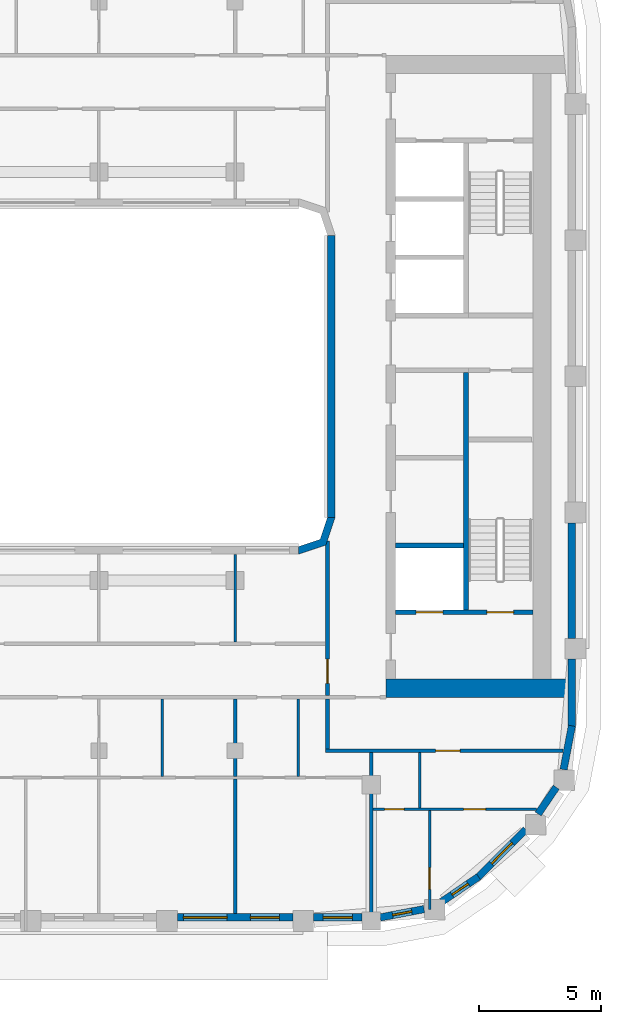
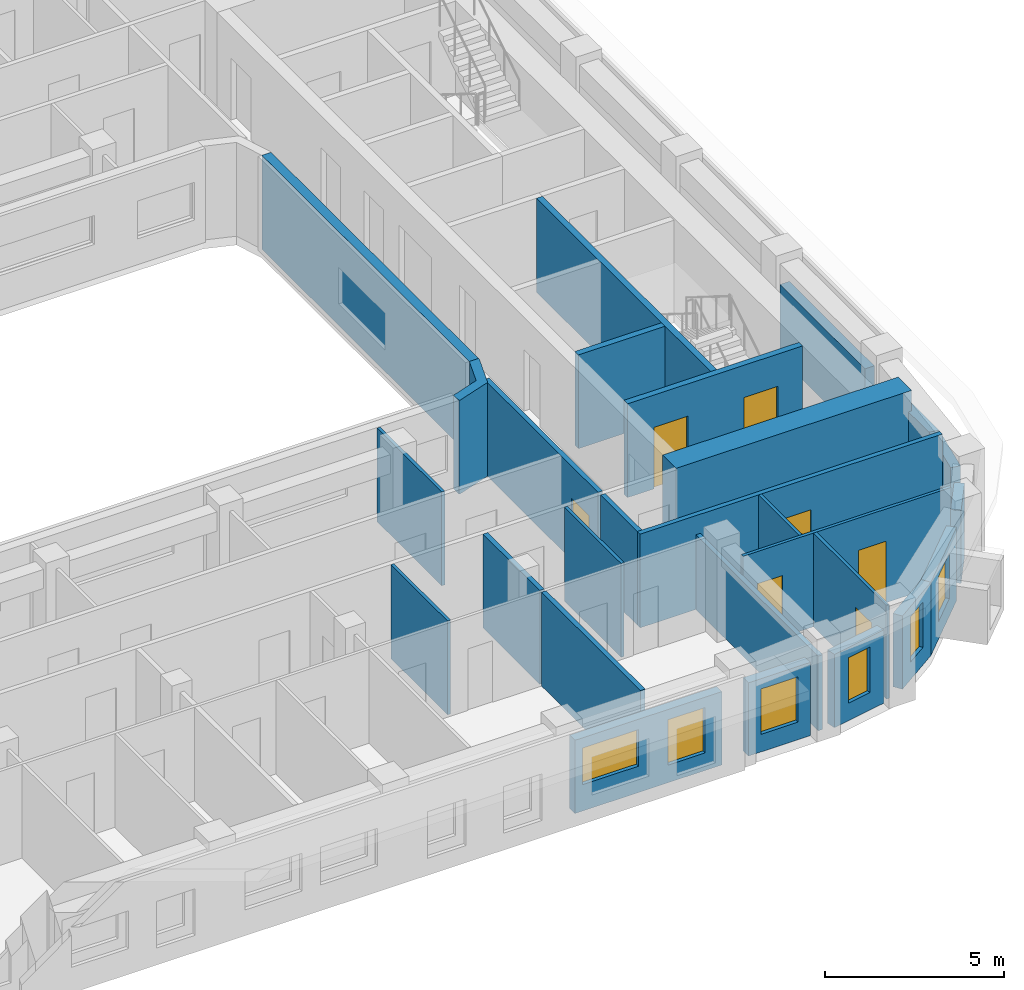
# One storey, part 5 of 21: 27 walls, 7 doors, 6 windows, 13 openings.
"""IFC4 building model written with IfcOpenShell, lengths in metres."""

from ifc_helpers import new_model, si_unit, direction, frame, frame_2d, origin, place, context, subcontext, project, spatial, polyline, rectangle, outline, extrude, material, layer, layer_set, type_object, element, fill, save


model = new_model("IFC4")

# Units and contexts
model_context = context("Model", 3, precision=1e-05, world=origin(), true_north=direction((0.0, 1.0)))
body_context = subcontext(model_context, "Body", "Model", "MODEL_VIEW")
ifc_project = project(units=[si_unit("LENGTHUNIT", "METRE"), si_unit("AREAUNIT", "SQUARE_METRE"), si_unit("VOLUMEUNIT", "CUBIC_METRE"), si_unit("PLANEANGLEUNIT", "RADIAN"), si_unit("MASSUNIT", "GRAM", prefix="KILO")], contexts=[model_context])

# Site, building, storey
site_placement = place(None, origin())
site = spatial("IfcSite", under=ifc_project, at=site_placement, CompositionType="ELEMENT")
building_placement = place(site_placement, origin())
building = spatial("IfcBuilding", under=site, at=building_placement, Name="Kiln Ring Residences", CompositionType="ELEMENT")
storey_placement = place(building_placement, frame((0.0, 0.0, 220.39990234375)))
storey = spatial("IfcBuildingStorey", under=building, at=storey_placement, Name="L57", CompositionType="ELEMENT", Elevation=220.39990234375)

# Walls
ifc_material_1 = material(Name="Gypsum shaft wall system")
ifc_layer_1 = layer(ifc_material_1, 0.199951171875)
ifc_layer_set_1 = layer_set([ifc_layer_1], Name="CORE-SHAFT-WALL-200")
wall_type_1 = type_object("IfcWallType", Name="CORE-SHAFT-WALL-200", PredefinedType="PARTITIONING", material=ifc_layer_set_1)
wall_1_placement = place(storey_placement, frame((17.800048828125, -6.949951171875, 0.0), z_axis=(0.0, 0.0, 1.0), x_axis=(1.0, 0.0, 0.0)))
element("IfcWall", 1, at=wall_1_placement, inside=storey, type_object=wall_type_1, Name="Core partition east L57 3", PredefinedType="PARTITIONING", context=body_context, shape_type="SweptSolid", body=[
    extrude(rectangle(XDim=2.800048828125, YDim=0.199951171875, at=frame_2d((1.39990234375, 0.0))), origin(), (0.0, 0.0, 1.0), 3.2001953125),
])
ifc_material_2 = material(Name="Concrete C40/50", Category="concrete")
ifc_layer_2 = layer(ifc_material_2, 0.199951171875)
ifc_layer_set_2 = layer_set([ifc_layer_2], Name="CORE-WALL-RC200")
wall_type_2 = type_object("IfcWallType", Name="CORE-WALL-RC200", PredefinedType="SHEAR", material=ifc_layer_set_2)
wall_2_placement = place(storey_placement, frame((20.699951171875, -9.60009765625, 0.0), z_axis=(0.0, 0.0, 1.0), x_axis=(0.0, 1.0, 0.0)))
element("IfcWall", 2, at=wall_2_placement, inside=storey, type_object=wall_type_2, Name="Core wall east L57 2", PredefinedType="SHEAR", context=body_context, shape_type="SweptSolid", body=[
    extrude(rectangle(XDim=9.75, YDim=0.199951171875, at=frame_2d((4.875, 0.0))), origin(), (0.0, 0.0, 1.0), 3.2001953125),
])

# Wall, openings, doors
wall_3_placement = place(storey_placement, frame((17.800048828125, -9.699951171875, 0.0), z_axis=(0.0, 0.0, 1.0), x_axis=(1.0, 0.0, 0.0)))
wall_3 = element("IfcWall", 3, at=wall_3_placement, inside=storey, type_object=wall_type_2, Name="Core wall east L57 8", PredefinedType="SHEAR", context=body_context, shape_type="SweptSolid", body=[
    extrude(rectangle(XDim=5.64990234375, YDim=0.199951171875, at=frame_2d((2.824951171875, 0.0))), origin(), (0.0, 0.0, 1.0), 3.2001953125),
])
opening_1_placement = place(wall_3_placement, frame((0.85009765625, 0.0, 0.0)))
opening_1 = element("IfcOpeningElement", 4, at=opening_1_placement, cuts=wall_3, Name="Opening L57-CE01", PredefinedType="OPENING", context=body_context, shape_type="SweptSolid", body=[
    extrude(rectangle(XDim=1.10009765625, YDim=2.10009765625, at=frame_2d((0.550048828125, 1.050048828125))), frame((0.0, 0.10986328125, 0.0), z_axis=(0.0, -1.0, 0.0), x_axis=(1.0, 0.0, 0.0)), (0.0, 0.0, 1.0), 0.219970703125),
])
opening_2_placement = place(wall_3_placement, frame((3.75, 0.0, 0.0)))
opening_2 = element("IfcOpeningElement", 5, at=opening_2_placement, cuts=wall_3, Name="Opening L57-CE10", PredefinedType="OPENING", context=body_context, shape_type="SweptSolid", body=[
    extrude(rectangle(XDim=1.10009765625, YDim=2.10009765625, at=frame_2d((0.550048828125, 1.050048828125))), frame((0.0, 0.10986328125, 0.0), z_axis=(0.0, -1.0, 0.0), x_axis=(1.0, 0.0, 0.0)), (0.0, 0.0, 1.0), 0.219970703125),
])
ifc_material_3 = material(Name="Steel door leaf", Category="steel")
door_type_1 = type_object("IfcDoorType", Name="CORE-DOOR-LD", OperationType="DOUBLE_DOOR_SLIDING", PredefinedType="DOOR", material=ifc_material_3)
door_1_placement = place(opening_1_placement, origin())
door_1 = element("IfcDoor", 6, at=door_1_placement, inside=storey, type_object=door_type_1, Name="LD E-SV L57-CE01", OperationType="DOUBLE_DOOR_SLIDING", OverallHeight=2.10009765625, OverallWidth=1.10009765625, PredefinedType="DOOR", context=body_context, shape_type="SweptSolid", body=[
    extrude(rectangle(XDim=1.10009765625, YDim=2.10009765625, at=frame_2d((0.550048828125, 1.050048828125))), frame((0.0, 0.02490234375, 0.0), z_axis=(0.0, -1.0, 0.0), x_axis=(1.0, 0.0, 0.0)), (0.0, 0.0, 1.0), 0.050048828125),
])
fill(opening_1, door_1)
ifc_material_4 = material(Name="Steel door leaf", Category="steel")
door_type_2 = type_object("IfcDoorType", Name="CORE-DOOR-STAIR", OperationType="SINGLE_SWING_LEFT", PredefinedType="DOOR", material=ifc_material_4)
door_2_placement = place(opening_2_placement, origin())
door_2 = element("IfcDoor", 7, at=door_2_placement, inside=storey, type_object=door_type_2, Name="Stair E-STS L57-CE10", OperationType="SINGLE_SWING_RIGHT", OverallHeight=2.10009765625, OverallWidth=1.10009765625, PredefinedType="DOOR", context=body_context, shape_type="SweptSolid", body=[
    extrude(rectangle(XDim=1.10009765625, YDim=2.10009765625, at=frame_2d((0.550048828125, 1.050048828125))), frame((0.0, 0.02490234375, 0.0), z_axis=(0.0, -1.0, 0.0), x_axis=(1.0, 0.0, 0.0)), (0.0, 0.0, 1.0), 0.050048828125),
])
fill(opening_2, door_2)

# Wall
ifc_material_5 = material(Name="Concrete C60/75", Category="concrete")
ifc_layer_3 = layer(ifc_material_5, 0.75)
ifc_layer_set_3 = layer_set([ifc_layer_3], Name="CORE-WALL-RC750")
wall_type_3 = type_object("IfcWallType", Name="CORE-WALL-RC750", PredefinedType="SHEAR", material=ifc_layer_set_3)
wall_4_placement = place(storey_placement, frame((17.39990234375, -12.824951171875, 0.0), z_axis=(0.0, 0.0, 1.0), x_axis=(1.0, 0.0, 0.0)))
element("IfcWall", 8, at=wall_4_placement, inside=storey, type_object=wall_type_3, Name="Core wall east L57 5", PredefinedType="SHEAR", context=body_context, shape_type="SweptSolid", body=[
    extrude(rectangle(XDim=7.60009765625, YDim=0.75, at=frame_2d((3.800048828125, 0.0))), origin(), (0.0, 0.0, 1.0), 3.2001953125),
])

# Wall, openings, windows
ifc_material_6 = material(Name="Brick masonry, dark clay brick", Category="masonry")
ifc_layer_4 = layer(ifc_material_6, 0.300048828125)
ifc_layer_set_4 = layer_set([ifc_layer_4], Name="EW-300 BRICK WALL")
wall_type_4 = type_object("IfcWallType", Name="EW-300 BRICK WALL", PredefinedType="SOLIDWALL", material=ifc_layer_set_4)
wall_5_placement = place(storey_placement, frame((8.824951171875, -22.25, 0.0), z_axis=(0.0, 0.0, 1.0), x_axis=(1.0, 0.0, 0.0)))
wall_5 = element("IfcWall", 9, at=wall_5_placement, inside=storey, type_object=wall_type_4, Name="Facade wall L57 9", PredefinedType="SOLIDWALL", context=body_context, shape_type="SweptSolid", body=[
    extrude(rectangle(XDim=4.75, YDim=0.300048828125, at=frame_2d((2.375, 0.0))), origin(), (0.0, 0.0, 1.0), 2.5),
])
opening_3_placement = place(wall_5_placement, frame((0.25, 0.0, 0.89990234375)))
opening_3 = element("IfcOpeningElement", 10, at=opening_3_placement, cuts=wall_5, Name="Opening W2", PredefinedType="OPENING", context=body_context, shape_type="SweptSolid", body=[
    extrude(rectangle(XDim=1.800048828125, YDim=1.25, at=frame_2d((0.89990234375, 0.625))), frame((0.0, 0.159912109375, 0.0), z_axis=(0.0, -1.0, 0.0), x_axis=(1.0, 0.0, 0.0)), (0.0, 0.0, 1.0), 0.320068359375),
])
opening_4_placement = place(wall_5_placement, frame((3.0, 0.0, 0.60009765625)))
opening_4 = element("IfcOpeningElement", 11, at=opening_4_placement, cuts=wall_5, Name="Opening W1", PredefinedType="OPENING", context=body_context, shape_type="SweptSolid", body=[
    extrude(rectangle(XDim=1.199951171875, YDim=1.550048828125, at=frame_2d((0.60009765625, 0.77490234375))), frame((0.0, 0.159912109375, 0.0), z_axis=(0.0, -1.0, 0.0), x_axis=(1.0, 0.0, 0.0)), (0.0, 0.0, 1.0), 0.320068359375),
])
ifc_material_7 = material(Name="Aluminium frame with double glazing", Category="aluminium")
window_type_1 = type_object("IfcWindowType", Name="WINDOW 1200 x 1550", PartitioningType="SINGLE_PANEL", PredefinedType="WINDOW", material=ifc_material_7)
window_1_placement = place(opening_4_placement, origin())
window_1 = element("IfcWindow", 12, at=window_1_placement, inside=storey, type_object=window_type_1, Name="Window L57 12", OverallHeight=1.550048828125, OverallWidth=1.199951171875, PartitioningType="SINGLE_PANEL", PredefinedType="WINDOW", context=body_context, shape_type="SweptSolid", body=[
    extrude(rectangle(XDim=1.199951171875, YDim=1.550048828125, at=frame_2d((0.60009765625, 0.77490234375))), frame((0.0, 0.030029296875, 0.0), z_axis=(0.0, -1.0, 0.0), x_axis=(1.0, 0.0, 0.0)), (0.0, 0.0, 1.0), 0.06005859375),
])
fill(opening_4, window_1)
ifc_material_8 = material(Name="Aluminium frame with double glazing", Category="aluminium")
window_type_2 = type_object("IfcWindowType", Name="WINDOW 1800 x 1250", PartitioningType="SINGLE_PANEL", PredefinedType="WINDOW", material=ifc_material_8)
window_2_placement = place(opening_3_placement, origin())
window_2 = element("IfcWindow", 13, at=window_2_placement, inside=storey, type_object=window_type_2, Name="Window L57 11", OverallHeight=1.25, OverallWidth=1.800048828125, PartitioningType="SINGLE_PANEL", PredefinedType="WINDOW", context=body_context, shape_type="SweptSolid", body=[
    extrude(rectangle(XDim=1.800048828125, YDim=1.25, at=frame_2d((0.89990234375, 0.625))), frame((0.0, 0.030029296875, 0.0), z_axis=(0.0, -1.0, 0.0), x_axis=(1.0, 0.0, 0.0)), (0.0, 0.0, 1.0), 0.06005859375),
])
fill(opening_3, window_2)

# Wall, opening, window
wall_6_placement = place(storey_placement, frame((14.425048828125, -22.25, 0.0), z_axis=(0.0, 0.0, 1.0), x_axis=(1.0, 0.0, 0.0)))
wall_6 = element("IfcWall", 14, at=wall_6_placement, inside=storey, type_object=wall_type_4, Name="Facade wall L57 10", PredefinedType="SOLIDWALL", context=body_context, shape_type="SweptSolid", body=[
    extrude(rectangle(XDim=2.0, YDim=0.300048828125, at=frame_2d((1.0, 0.0))), origin(), (0.0, 0.0, 1.0), 2.5),
])
opening_5_placement = place(wall_6_placement, frame((0.39990234375, 0.0, 0.60009765625)))
opening_5 = element("IfcOpeningElement", 15, at=opening_5_placement, cuts=wall_6, Name="Opening W1", PredefinedType="OPENING", context=body_context, shape_type="SweptSolid", body=[
    extrude(rectangle(XDim=1.199951171875, YDim=1.550048828125, at=frame_2d((0.60009765625, 0.77490234375))), frame((0.0, 0.159912109375, 0.0), z_axis=(0.0, -1.0, 0.0), x_axis=(1.0, 0.0, 0.0)), (0.0, 0.0, 1.0), 0.320068359375),
])
window_3_placement = place(opening_5_placement, origin())
window_3 = element("IfcWindow", 16, at=window_3_placement, inside=storey, type_object=window_type_1, Name="Window L57 13", OverallHeight=1.550048828125, OverallWidth=1.199951171875, PartitioningType="SINGLE_PANEL", PredefinedType="WINDOW", context=body_context, shape_type="SweptSolid", body=[
    extrude(rectangle(XDim=1.199951171875, YDim=1.550048828125, at=frame_2d((0.60009765625, 0.77490234375))), frame((0.0, 0.030029296875, 0.0), z_axis=(0.0, -1.0, 0.0), x_axis=(1.0, 0.0, 0.0)), (0.0, 0.0, 1.0), 0.06005859375),
])
fill(opening_5, window_3)

wall_7_placement = place(storey_placement, frame((17.171875, -22.252685546875, 0.0), z_axis=(0.0, 0.0, 1.0), x_axis=(0.982300037503, 0.187314271538, 0.0)))
wall_7 = element("IfcWall", 17, at=wall_7_placement, inside=storey, type_object=wall_type_4, Name="Facade wall L57 11", PredefinedType="SOLIDWALL", context=body_context, shape_type="SweptSolid", body=[
    extrude(rectangle(XDim=1.831298828125, YDim=0.300048828125, at=frame_2d((0.91552734375, 0.0))), origin(), (0.0, 0.0, 1.0), 2.5),
])
opening_6_placement = place(wall_7_placement, frame((0.515625, 0.0, 0.60009765625)))
opening_6 = element("IfcOpeningElement", 18, at=opening_6_placement, cuts=wall_7, Name="Opening W5", PredefinedType="OPENING", context=body_context, shape_type="SweptSolid", body=[
    extrude(rectangle(XDim=0.800048828125, YDim=1.550048828125, at=frame_2d((0.39990234375, 0.77490234375))), frame((0.0, 0.159912109375, 0.0), z_axis=(0.0, -1.0, 0.0), x_axis=(1.0, 0.0, 0.0)), (0.0, 0.0, 1.0), 0.320068359375),
])
ifc_material_9 = material(Name="Aluminium frame with double glazing", Category="aluminium")
window_type_3 = type_object("IfcWindowType", Name="WINDOW 800 x 1550", PartitioningType="SINGLE_PANEL", PredefinedType="WINDOW", material=ifc_material_9)
window_4_placement = place(opening_6_placement, origin())
window_4 = element("IfcWindow", 19, at=window_4_placement, inside=storey, type_object=window_type_3, Name="Window L57 14", OverallHeight=1.550048828125, OverallWidth=0.800048828125, PartitioningType="SINGLE_PANEL", PredefinedType="WINDOW", context=body_context, shape_type="SweptSolid", body=[
    extrude(rectangle(XDim=0.800048828125, YDim=1.550048828125, at=frame_2d((0.39990234375, 0.77490234375))), frame((0.0, 0.030029296875, 0.0), z_axis=(0.0, -1.0, 0.0), x_axis=(1.0, 0.0, 0.0)), (0.0, 0.0, 1.0), 0.06005859375),
])
fill(opening_6, window_4)

wall_8_placement = place(storey_placement, frame((19.6982421875, -21.608154296875, 0.0), z_axis=(0.0, 0.0, 1.0), x_axis=(0.82705295608, 0.562124014644, 0.0)))
wall_8 = element("IfcWall", 20, at=wall_8_placement, inside=storey, type_object=wall_type_4, Name="Facade wall L57 12", PredefinedType="SOLIDWALL", context=body_context, shape_type="SweptSolid", body=[
    extrude(rectangle(XDim=1.8310546875, YDim=0.300048828125, at=frame_2d((0.91552734375, 0.0))), origin(), (0.0, 0.0, 1.0), 2.5),
])
opening_7_placement = place(wall_8_placement, frame((0.515625, 0.0, 0.60009765625)))
opening_7 = element("IfcOpeningElement", 21, at=opening_7_placement, cuts=wall_8, Name="Opening W5", PredefinedType="OPENING", context=body_context, shape_type="SweptSolid", body=[
    extrude(rectangle(XDim=0.800048828125, YDim=1.550048828125, at=frame_2d((0.39990234375, 0.77490234375))), frame((0.0, 0.159912109375, 0.0), z_axis=(0.0, -1.0, 0.0), x_axis=(1.0, 0.0, 0.0)), (0.0, 0.0, 1.0), 0.320068359375),
])
window_5_placement = place(opening_7_placement, origin())
window_5 = element("IfcWindow", 22, at=window_5_placement, inside=storey, type_object=window_type_3, Name="Window L57 15", OverallHeight=1.550048828125, OverallWidth=0.800048828125, PartitioningType="SINGLE_PANEL", PredefinedType="WINDOW", context=body_context, shape_type="SweptSolid", body=[
    extrude(rectangle(XDim=0.800048828125, YDim=1.550048828125, at=frame_2d((0.39990234375, 0.77490234375))), frame((0.0, 0.030029296875, 0.0), z_axis=(0.0, -1.0, 0.0), x_axis=(1.0, 0.0, 0.0)), (0.0, 0.0, 1.0), 0.06005859375),
])
fill(opening_7, window_5)

wall_9_placement = place(storey_placement, frame((21.19091796875, -20.596923828125, 0.0), z_axis=(0.0, 0.0, 1.0), x_axis=(0.707150767798, 0.707062791838, 0.0)))
wall_9 = element("IfcWall", 23, at=wall_9_placement, inside=storey, type_object=wall_type_4, Name="Facade wall L57 13", PredefinedType="SOLIDWALL", context=body_context, shape_type="SweptSolid", body=[
    extrude(rectangle(XDim=2.775146484375, YDim=0.300048828125, at=frame_2d((1.3876953125, 0.0))), origin(), (0.0, 0.0, 1.0), 2.5),
])
opening_8_placement = place(wall_9_placement, frame((0.78759765625, 0.0, 0.60009765625)))
opening_8 = element("IfcOpeningElement", 24, at=opening_8_placement, cuts=wall_9, Name="Opening W1", PredefinedType="OPENING", context=body_context, shape_type="SweptSolid", body=[
    extrude(rectangle(XDim=1.199951171875, YDim=1.550048828125, at=frame_2d((0.60009765625, 0.77490234375))), frame((0.0, 0.159912109375, 0.0), z_axis=(0.0, -1.0, 0.0), x_axis=(1.0, 0.0, 0.0)), (0.0, 0.0, 1.0), 0.320068359375),
])
window_6_placement = place(opening_8_placement, origin())
window_6 = element("IfcWindow", 25, at=window_6_placement, inside=storey, type_object=window_type_1, Name="Window L57 16", OverallHeight=1.550048828125, OverallWidth=1.199951171875, PartitioningType="SINGLE_PANEL", PredefinedType="WINDOW", context=body_context, shape_type="SweptSolid", body=[
    extrude(rectangle(XDim=1.199951171875, YDim=1.550048828125, at=frame_2d((0.60009765625, 0.77490234375))), frame((0.0, 0.030029296875, 0.0), z_axis=(0.0, -1.0, 0.0), x_axis=(1.0, 0.0, 0.0)), (0.0, 0.0, 1.0), 0.06005859375),
])
fill(opening_8, window_6)

# Walls
wall_10_placement = place(storey_placement, frame((23.662109375, -17.995849609375, 0.0), z_axis=(0.0, 0.0, 1.0), x_axis=(0.562149004813, 0.827035970432, 0.0)))
element("IfcWall", 26, at=wall_10_placement, inside=storey, type_object=wall_type_4, Name="Facade wall L57 14", PredefinedType="SOLIDWALL", context=body_context, shape_type="SweptSolid", body=[
    extrude(rectangle(XDim=1.3271484375, YDim=0.300048828125, at=frame_2d((0.66357421875, 0.0))), origin(), (0.0, 0.0, 1.0), 2.5),
])
wall_11_placement = place(storey_placement, frame((24.70947265625, -16.170654296875, 0.0), z_axis=(0.0, 0.0, 1.0), x_axis=(0.187442908742, 0.982275499014, 0.0)))
element("IfcWall", 27, at=wall_11_placement, inside=storey, type_object=wall_type_4, Name="Facade wall L57 15", PredefinedType="SOLIDWALL", context=body_context, shape_type="SweptSolid", body=[
    extrude(rectangle(XDim=1.831298828125, YDim=0.300048828125, at=frame_2d((0.91552734375, 0.0))), origin(), (0.0, 0.0, 1.0), 2.5),
])
wall_12_placement = place(storey_placement, frame((25.050048828125, -14.39990234375, 0.0), z_axis=(0.0, 0.0, 1.0), x_axis=(0.0, 1.0, 0.0)))
element("IfcWall", 28, at=wall_12_placement, inside=storey, type_object=wall_type_4, Name="Facade wall L57 16", PredefinedType="SOLIDWALL", context=body_context, shape_type="SweptSolid", body=[
    extrude(rectangle(XDim=2.77490234375, YDim=0.300048828125, at=frame_2d((1.387451171875, 0.0))), origin(), (0.0, 0.0, 1.0), 2.5),
])
wall_13_placement = place(storey_placement, frame((25.050048828125, -10.77490234375, 0.0), z_axis=(0.0, 0.0, 1.0), x_axis=(0.0, 1.0, 0.0)))
element("IfcWall", 29, at=wall_13_placement, inside=storey, type_object=wall_type_4, Name="Facade wall L57 17", PredefinedType="SOLIDWALL", context=body_context, shape_type="SweptSolid", body=[
    extrude(rectangle(XDim=4.75, YDim=0.300048828125, at=frame_2d((2.375, 0.0))), origin(), (0.0, 0.0, 1.0), 2.5),
])
wall_14_placement = place(storey_placement, frame((15.14990234375, 5.800048828125, 0.0), z_axis=(0.0, 0.0, 1.0), x_axis=(0.0, -1.0, 0.0)))
element("IfcWall", 30, at=wall_14_placement, inside=storey, type_object=wall_type_4, Name="Facade wall L57 49", PredefinedType="SOLIDWALL", context=body_context, shape_type="SweptSolid", body=[
    extrude(rectangle(XDim=11.60009765625, YDim=0.300048828125, at=frame_2d((5.800048828125, 0.0))), origin(), (0.0, 0.0, 1.0), 3.2001953125),
])
wall_15_placement = place(storey_placement, origin())
element("IfcWall", 31, at=wall_15_placement, inside=storey, type_object=wall_type_4, Name="Corner wall L57 3", PredefinedType="SOLIDWALL", context=body_context, shape_type="SweptSolid", body=[
    extrude(outline(polyline([(14.937255859375, -6.937255859375), (15.300048828125, -5.8486328125), (15.300048828125, -5.800048828125), (15.0, -5.800048828125), (14.699951171875, -6.699951171875), (13.800048828125, -7.0), (13.800048828125, -7.300048828125), (13.8486328125, -7.300048828125), (14.937255859375, -6.937255859375)])), origin(), (0.0, 0.0, 1.0), 3.2001953125),
])

# Wall, openings, doors
ifc_material_10 = material(Name="Gypsum board on steel studs", Category="steel")
ifc_layer_5 = layer(ifc_material_10, 0.10009765625)
ifc_layer_set_5 = layer_set([ifc_layer_5], Name="PARTITION-100")
wall_type_5 = type_object("IfcWallType", Name="PARTITION-100", PredefinedType="PARTITIONING", material=ifc_layer_set_5)
wall_16_placement = place(storey_placement, frame((16.875, -17.800048828125, 0.0), z_axis=(0.0, 0.0, 1.0), x_axis=(1.0, 0.0, 0.0)))
wall_16 = element("IfcWall", 32, at=wall_16_placement, inside=storey, type_object=wall_type_5, Name="Partition 001", PredefinedType="PARTITIONING", context=body_context, shape_type="SweptSolid", body=[
    extrude(rectangle(XDim=6.718994140625, YDim=0.10009765625, at=frame_2d((3.359375, 0.0))), origin(), (0.0, 0.0, 1.0), 3.2001953125),
])
opening_9_placement = place(wall_16_placement, frame((0.47509765625, 0.0, 0.0)))
opening_9 = element("IfcOpeningElement", 33, at=opening_9_placement, cuts=wall_16, Name="Opening L57-D062", PredefinedType="OPENING", context=body_context, shape_type="SweptSolid", body=[
    extrude(rectangle(XDim=0.800048828125, YDim=2.10009765625, at=frame_2d((0.39990234375, 1.050048828125))), frame((0.0, 0.06005859375, 0.0), z_axis=(0.0, -1.0, 0.0), x_axis=(1.0, 0.0, 0.0)), (0.0, 0.0, 1.0), 0.1201171875),
])
opening_10_placement = place(wall_16_placement, frame((3.72509765625, 0.0, 0.0)))
opening_10 = element("IfcOpeningElement", 34, at=opening_10_placement, cuts=wall_16, Name="Opening L57-D063", PredefinedType="OPENING", context=body_context, shape_type="SweptSolid", body=[
    extrude(rectangle(XDim=0.89990234375, YDim=2.10009765625, at=frame_2d((0.449951171875, 1.050048828125))), frame((0.0, 0.06005859375, 0.0), z_axis=(0.0, -1.0, 0.0), x_axis=(1.0, 0.0, 0.0)), (0.0, 0.0, 1.0), 0.1201171875),
])
ifc_material_11 = material(Name="Timber door leaf", Category="wood")
door_type_3 = type_object("IfcDoorType", Name="FLAT-DOOR-800-PL", OperationType="SINGLE_SWING_LEFT", PredefinedType="DOOR", material=ifc_material_11)
door_3_placement = place(opening_9_placement, origin())
door_3 = element("IfcDoor", 35, at=door_3_placement, inside=storey, type_object=door_type_3, Name="Door L57-D062", OperationType="SINGLE_SWING_RIGHT", OverallHeight=2.10009765625, OverallWidth=0.800048828125, PredefinedType="DOOR", context=body_context, shape_type="SweptSolid", body=[
    extrude(rectangle(XDim=0.800048828125, YDim=2.10009765625, at=frame_2d((0.39990234375, 1.050048828125))), frame((0.0, 0.02490234375, 0.0), z_axis=(0.0, -1.0, 0.0), x_axis=(1.0, 0.0, 0.0)), (0.0, 0.0, 1.0), 0.050048828125),
])
fill(opening_9, door_3)
ifc_material_12 = material(Name="Timber door leaf", Category="wood")
door_type_4 = type_object("IfcDoorType", Name="FLAT-DOOR-900-PL", OperationType="SINGLE_SWING_LEFT", PredefinedType="DOOR", material=ifc_material_12)
door_4_placement = place(opening_10_placement, origin())
door_4 = element("IfcDoor", 36, at=door_4_placement, inside=storey, type_object=door_type_4, Name="Door L57-D063", OperationType="SINGLE_SWING_LEFT", OverallHeight=2.10009765625, OverallWidth=0.89990234375, PredefinedType="DOOR", context=body_context, shape_type="SweptSolid", body=[
    extrude(rectangle(XDim=0.89990234375, YDim=2.10009765625, at=frame_2d((0.449951171875, 1.050048828125))), frame((0.0, 0.02490234375, 0.0), z_axis=(0.0, -1.0, 0.0), x_axis=(1.0, 0.0, 0.0)), (0.0, 0.0, 1.0), 0.050048828125),
])
fill(opening_10, door_4)

# Walls
wall_17_placement = place(storey_placement, frame((8.199951171875, -16.449951171875, 0.0), z_axis=(0.0, 0.0, 1.0), x_axis=(0.0, 1.0, 0.0)))
element("IfcWall", 37, at=wall_17_placement, inside=storey, type_object=wall_type_5, Name="Partition 051", PredefinedType="PARTITIONING", context=body_context, shape_type="SweptSolid", body=[
    extrude(rectangle(XDim=3.175048828125, YDim=0.10009765625, at=frame_2d((1.58740234375, 0.0))), origin(), (0.0, 0.0, 1.0), 3.2001953125),
])
wall_18_placement = place(storey_placement, frame((11.199951171875, -10.925048828125, 0.0), z_axis=(0.0, 0.0, 1.0), x_axis=(0.0, 1.0, 0.0)))
element("IfcWall", 38, at=wall_18_placement, inside=storey, type_object=wall_type_5, Name="Partition 053", PredefinedType="PARTITIONING", context=body_context, shape_type="SweptSolid", body=[
    extrude(rectangle(XDim=3.60498046875, YDim=0.10009765625, at=frame_2d((1.802490234375, 0.0))), origin(), (0.0, 0.0, 1.0), 3.2001953125),
])
wall_19_placement = place(storey_placement, frame((13.800048828125, -16.449951171875, 0.0), z_axis=(0.0, 0.0, 1.0), x_axis=(0.0, 1.0, 0.0)))
element("IfcWall", 39, at=wall_19_placement, inside=storey, type_object=wall_type_5, Name="Partition 059", PredefinedType="PARTITIONING", context=body_context, shape_type="SweptSolid", body=[
    extrude(rectangle(XDim=3.175048828125, YDim=0.10009765625, at=frame_2d((1.58740234375, 0.0))), origin(), (0.0, 0.0, 1.0), 3.2001953125),
])
wall_20_placement = place(storey_placement, frame((18.800048828125, -17.75, 0.0), z_axis=(0.0, 0.0, 1.0), x_axis=(0.0, 1.0, 0.0)))
element("IfcWall", 40, at=wall_20_placement, inside=storey, type_object=wall_type_5, Name="Partition 068", PredefinedType="PARTITIONING", context=body_context, shape_type="SweptSolid", body=[
    extrude(rectangle(XDim=2.27490234375, YDim=0.10009765625, at=frame_2d((1.137451171875, 0.0))), origin(), (0.0, 0.0, 1.0), 3.2001953125),
])

# Wall, opening, door
wall_21_placement = place(storey_placement, frame((19.199951171875, -21.919921875, 0.0), z_axis=(0.0, 0.0, 1.0), x_axis=(0.0, 1.0, 0.0)))
wall_21 = element("IfcWall", 41, at=wall_21_placement, inside=storey, type_object=wall_type_5, Name="Partition 070", PredefinedType="PARTITIONING", context=body_context, shape_type="SweptSolid", body=[
    extrude(rectangle(XDim=4.06982421875, YDim=0.10009765625, at=frame_2d((2.034912109375, 0.0))), origin(), (0.0, 0.0, 1.0), 3.2001953125),
])
opening_11_placement = place(wall_21_placement, frame((0.820068359375, 0.0, 0.0)))
opening_11 = element("IfcOpeningElement", 42, at=opening_11_placement, cuts=wall_21, Name="Opening L57-D064", PredefinedType="OPENING", context=body_context, shape_type="SweptSolid", body=[
    extrude(rectangle(XDim=0.89990234375, YDim=2.10009765625, at=frame_2d((0.449951171875, 1.050048828125))), frame((0.0, 0.06005859375, 0.0), z_axis=(0.0, -1.0, 0.0), x_axis=(1.0, 0.0, 0.0)), (0.0, 0.0, 1.0), 0.1201171875),
])
door_5_placement = place(opening_11_placement, origin())
door_5 = element("IfcDoor", 43, at=door_5_placement, inside=storey, type_object=door_type_4, Name="Door L57-D064", OperationType="SINGLE_SWING_RIGHT", OverallHeight=2.10009765625, OverallWidth=0.89990234375, PredefinedType="DOOR", context=body_context, shape_type="SweptSolid", body=[
    extrude(rectangle(XDim=0.89990234375, YDim=2.10009765625, at=frame_2d((0.449951171875, 1.050048828125))), frame((0.0, 0.02490234375, 0.0), z_axis=(0.0, -1.0, 0.0), x_axis=(1.0, 0.0, 0.0)), (0.0, 0.0, 1.0), 0.050048828125),
])
fill(opening_11, door_5)

ifc_material_13 = material(Name="Brick masonry partition", Category="masonry")
ifc_layer_6 = layer(ifc_material_13, 0.14990234375)
ifc_layer_set_6 = layer_set([ifc_layer_6], Name="PARTITION-150-ei60")
wall_type_6 = type_object("IfcWallType", Name="PARTITION-150-ei60", PredefinedType="PARTITIONING", material=ifc_layer_set_6)
wall_22_placement = place(storey_placement, frame((14.925048828125, -15.39990234375, 0.0), z_axis=(0.0, 0.0, 1.0), x_axis=(1.0, 0.0, 0.0)))
wall_22 = element("IfcWall", 44, at=wall_22_placement, inside=storey, type_object=wall_type_6, Name="Partition 004", PredefinedType="PARTITIONING", context=body_context, shape_type="SweptSolid", body=[
    extrude(rectangle(XDim=9.7587890625, YDim=0.14990234375, at=frame_2d((4.87939453125, 0.0))), origin(), (0.0, 0.0, 1.0), 3.2001953125),
])
opening_12_placement = place(wall_22_placement, frame((4.52490234375, 0.0, 0.0)))
opening_12 = element("IfcOpeningElement", 45, at=opening_12_placement, cuts=wall_22, Name="Opening L57-D061", PredefinedType="OPENING", context=body_context, shape_type="SweptSolid", body=[
    extrude(rectangle(XDim=1.0, YDim=2.10009765625, at=frame_2d((0.5, 1.050048828125))), frame((0.0, 0.0849609375, 0.0), z_axis=(0.0, -1.0, 0.0), x_axis=(1.0, 0.0, 0.0)), (0.0, 0.0, 1.0), 0.169921875),
])
ifc_material_14 = material(Name="Steel faced fire door leaf", Category="steel")
door_type_5 = type_object("IfcDoorType", Name="FLAT-DOOR-1000-FR", OperationType="SINGLE_SWING_LEFT", PredefinedType="DOOR", material=ifc_material_14)
door_6_placement = place(opening_12_placement, origin())
door_6 = element("IfcDoor", 46, at=door_6_placement, inside=storey, type_object=door_type_5, Name="Door L57-D061", OperationType="SINGLE_SWING_LEFT", OverallHeight=2.10009765625, OverallWidth=1.0, PredefinedType="DOOR", context=body_context, shape_type="SweptSolid", body=[
    extrude(rectangle(XDim=1.0, YDim=2.10009765625, at=frame_2d((0.5, 1.050048828125))), frame((0.0, 0.02490234375, 0.0), z_axis=(0.0, -1.0, 0.0), x_axis=(1.0, 0.0, 0.0)), (0.0, 0.0, 1.0), 0.050048828125),
])
fill(opening_12, door_6)

# Walls
wall_23_placement = place(storey_placement, frame((11.199951171875, -22.080078125, 0.0), z_axis=(0.0, 0.0, 1.0), x_axis=(0.0, 1.0, 0.0)))
element("IfcWall", 47, at=wall_23_placement, inside=storey, type_object=wall_type_6, Name="Partition 055", PredefinedType="PARTITIONING", context=body_context, shape_type="SweptSolid", body=[
    extrude(rectangle(XDim=5.530029296875, YDim=0.14990234375, at=frame_2d((2.76513671875, 0.0))), origin(), (0.0, 0.0, 1.0), 3.2001953125),
])
wall_24_placement = place(storey_placement, frame((11.199951171875, -16.449951171875, 0.0), z_axis=(0.0, 0.0, 1.0), x_axis=(0.0, 1.0, 0.0)))
element("IfcWall", 48, at=wall_24_placement, inside=storey, type_object=wall_type_6, Name="Partition 056", PredefinedType="PARTITIONING", context=body_context, shape_type="SweptSolid", body=[
    extrude(rectangle(XDim=3.175048828125, YDim=0.14990234375, at=frame_2d((1.58740234375, 0.0))), origin(), (0.0, 0.0, 1.0), 3.2001953125),
])
wall_25_placement = place(storey_placement, frame((15.0, -15.324951171875, 0.0), z_axis=(0.0, 0.0, 1.0), x_axis=(0.0, 1.0, 0.0)))
element("IfcWall", 49, at=wall_25_placement, inside=storey, type_object=wall_type_6, Name="Partition 062", PredefinedType="PARTITIONING", context=body_context, shape_type="SweptSolid", body=[
    extrude(rectangle(XDim=2.050048828125, YDim=0.14990234375, at=frame_2d((1.02490234375, 0.0))), origin(), (0.0, 0.0, 1.0), 3.2001953125),
])

# Wall, opening, door
wall_26_placement = place(storey_placement, frame((15.0, -13.125, 0.0), z_axis=(0.0, 0.0, 1.0), x_axis=(0.0, 1.0, 0.0)))
wall_26 = element("IfcWall", 50, at=wall_26_placement, inside=storey, type_object=wall_type_6, Name="Partition 063", PredefinedType="PARTITIONING", context=body_context, shape_type="SweptSolid", body=[
    extrude(rectangle(XDim=6.356201171875, YDim=0.14990234375, at=frame_2d((3.17822265625, 0.0))), origin(), (0.0, 0.0, 1.0), 3.2001953125),
])
opening_13_placement = place(wall_26_placement, frame((0.49609375, 0.0, 0.0)))
opening_13 = element("IfcOpeningElement", 51, at=opening_13_placement, cuts=wall_26, Name="Opening L57-D006", PredefinedType="OPENING", context=body_context, shape_type="SweptSolid", body=[
    extrude(rectangle(XDim=1.0, YDim=2.10009765625, at=frame_2d((0.5, 1.050048828125))), frame((0.0, 0.0849609375, 0.0), z_axis=(0.0, -1.0, 0.0), x_axis=(1.0, 0.0, 0.0)), (0.0, 0.0, 1.0), 0.169921875),
])
door_7_placement = place(opening_13_placement, origin())
door_7 = element("IfcDoor", 52, at=door_7_placement, inside=storey, type_object=door_type_5, Name="Door L57-D006", OperationType="SINGLE_SWING_LEFT", OverallHeight=2.10009765625, OverallWidth=1.0, PredefinedType="DOOR", context=body_context, shape_type="SweptSolid", body=[
    extrude(rectangle(XDim=1.0, YDim=2.10009765625, at=frame_2d((0.5, 1.050048828125))), frame((0.0, 0.02490234375, 0.0), z_axis=(0.0, -1.0, 0.0), x_axis=(1.0, 0.0, 0.0)), (0.0, 0.0, 1.0), 0.050048828125),
])
fill(opening_13, door_7)

# Wall
wall_27_placement = place(storey_placement, frame((16.800048828125, -22.31005859375, 0.0), z_axis=(0.0, 0.0, 1.0), x_axis=(0.0, 1.0, 0.0)))
element("IfcWall", 53, at=wall_27_placement, inside=storey, type_object=wall_type_6, Name="Partition 066", PredefinedType="PARTITIONING", context=body_context, shape_type="SweptSolid", body=[
    extrude(rectangle(XDim=6.8349609375, YDim=0.14990234375, at=frame_2d((3.41748046875, 0.0))), origin(), (0.0, 0.0, 1.0), 2.550048828125),
])

save(model, "model.ifc")
